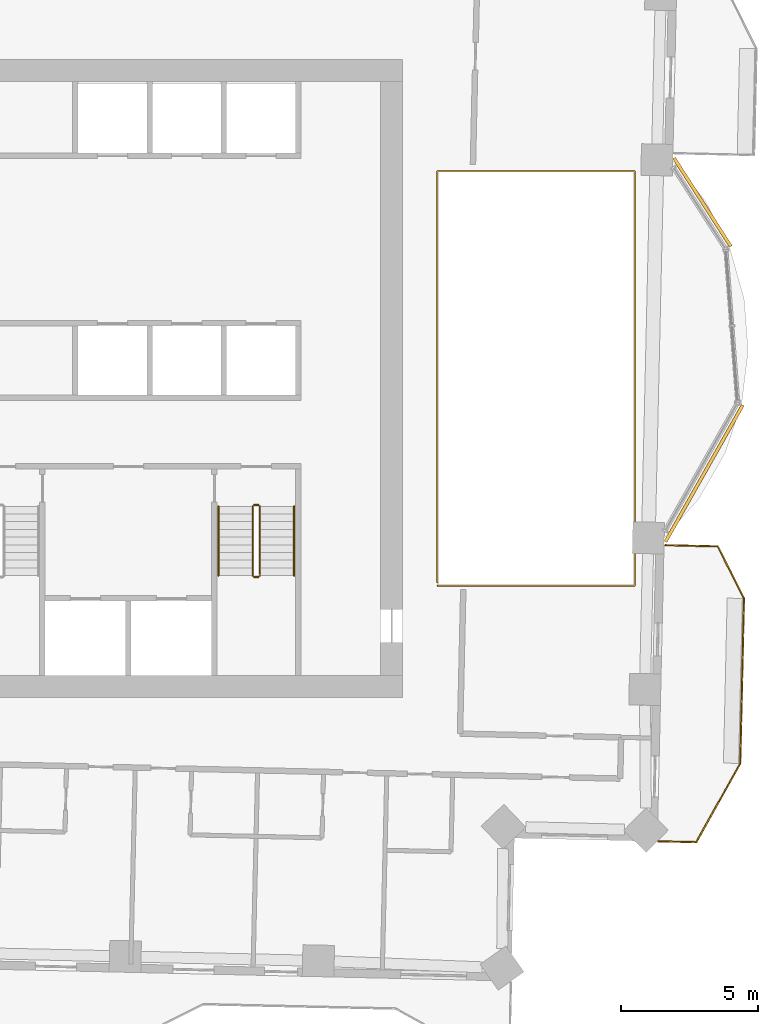
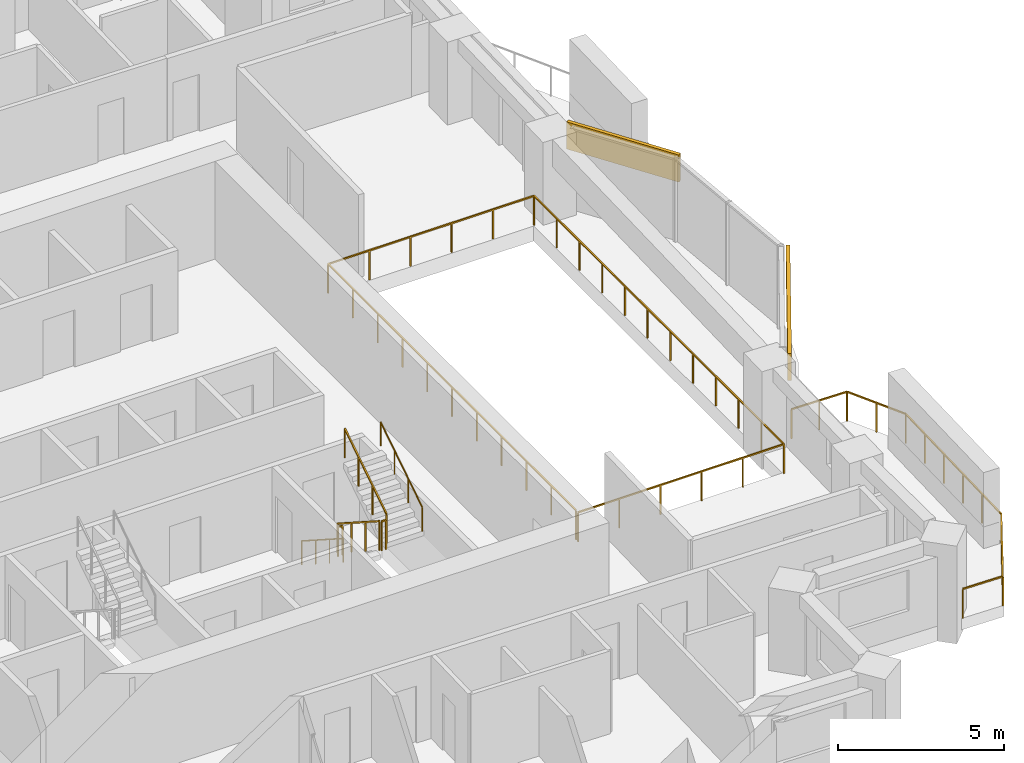
# One storey, part 13 of 14: 8 railings, 2 coverings.
"""IFC4 building model written with IfcOpenShell, lengths in metres."""

import ifcopenshell
import ifcopenshell.guid

model = None  # the IFC model being written
_history = None  # IfcOwnerHistory: only IFC2X3 demands one
_inside = {}  # id of a spatial element -> (the spatial element, [elements in it])
_under = {}  # id of a project, library or spatial element -> (it, [spatial elements below it])
_declared = {}  # id of a project -> (the project, [libraries it declares])
_typed = {}  # id of a type object -> (the type object, [elements of that type])
_made_of = {}  # id of a material, layer set ... -> (it, [elements and type objects made of it])


def new_model(schema):
    """Start an empty IFC model of exactly this schema.

    Asked for "IFC4X3", IfcOpenShell would pick the latest addendum, in which some entities
    have other attributes; the version numbers below select the first issue.
    IFC2X3 requires an IfcOwnerHistory on every rooted entity: one is made here for all.
    """
    global model, _history
    if schema == "IFC4X3":
        model = ifcopenshell.file(schema_version=(4, 3, 0, 0))
    else:
        model = ifcopenshell.file(schema=schema)
    _inside.clear()
    _under.clear()
    _declared.clear()
    _typed.clear()
    _made_of.clear()
    _history = None
    if model.schema == "IFC2X3":
        org = make("IfcOrganization", Name="unknown")
        user = make(
            "IfcPersonAndOrganization",
            ThePerson=make("IfcPerson", FamilyName="unknown"),
            TheOrganization=org,
        )
        app = make(
            "IfcApplication",
            ApplicationDeveloper=org,
            Version="unknown",
            ApplicationFullName="unknown",
            ApplicationIdentifier="unknown",
        )
        _history = make(
            "IfcOwnerHistory",
            OwningUser=user,
            OwningApplication=app,
            ChangeAction="ADDED",
            CreationDate=0,
        )
    return model


def make(cls, **values):
    """One entity of the class cls with the attributes given. An attribute that is None is left unset."""
    return model.create_entity(
        cls, **{name: value for name, value in values.items() if value is not None}
    )


def rooted(cls, **values):
    """An entity with a GlobalId (a new one), such as an element, a storey or a relation."""
    return make(cls, GlobalId=ifcopenshell.guid.new(), OwnerHistory=_history, **values)


def si_unit(unit_type, name, prefix=None):
    """IfcSIUnit, for example si_unit("LENGTHUNIT", "METRE", prefix="MILLI")."""
    return make("IfcSIUnit", UnitType=unit_type, Prefix=prefix, Name=name)


def assignment(units):
    """IfcUnitAssignment: the units of a project."""
    return None if units is None else make("IfcUnitAssignment", Units=units)


def point(xyz):
    """IfcCartesianPoint."""
    return None if xyz is None else make("IfcCartesianPoint", Coordinates=xyz)


def direction(xyz):
    """IfcDirection."""
    return None if xyz is None else make("IfcDirection", DirectionRatios=xyz)


def frame(location, z_axis=None, x_axis=None):
    """IfcAxis2Placement3D, a coordinate frame: its origin and axes. An axis left out is left unset."""
    return make(
        "IfcAxis2Placement3D",
        Location=point(location),
        Axis=direction(z_axis),
        RefDirection=direction(x_axis),
    )


def frame_2d(location, x_axis=None):
    """IfcAxis2Placement2D, a coordinate frame in the plane: its origin and x axis."""
    return make(
        "IfcAxis2Placement2D", Location=point(location), RefDirection=direction(x_axis)
    )


def origin():
    """The frame at (0, 0, 0) with its axes left unset."""
    return frame((0.0, 0.0, 0.0))


def origin_2d():
    """The frame at (0, 0) in the plane with its x axis left unset."""
    return frame_2d((0.0, 0.0))


def place(relative_to, where):
    """IfcLocalPlacement: puts the frame where relative to a parent placement (None: the world)."""
    return make(
        "IfcLocalPlacement", PlacementRelTo=relative_to, RelativePlacement=where
    )


def context(
    kind, dimensions, precision=None, world=None, true_north=None, identifier=None
):
    """IfcGeometricRepresentationContext, for example the 3D "Model" context."""
    return make(
        "IfcGeometricRepresentationContext",
        ContextIdentifier=identifier,
        ContextType=kind,
        CoordinateSpaceDimension=dimensions,
        Precision=precision,
        WorldCoordinateSystem=world,
        TrueNorth=true_north,
    )


def subcontext(parent, identifier, kind, view, scale=None):
    """IfcGeometricRepresentationSubContext, for example "Body" below "Model"."""
    return make(
        "IfcGeometricRepresentationSubContext",
        ContextIdentifier=identifier,
        ContextType=kind,
        ParentContext=parent,
        TargetScale=scale,
        TargetView=view,
    )


def project(units=None, contexts=None):
    """IfcProject with its units and contexts."""
    return rooted(
        "IfcProject",
        Name="project",
        RepresentationContexts=contexts,
        UnitsInContext=assignment(units),
    )


def spatial(cls, under=None, at=None, **own):
    """A site, building, storey or space (cls), placed at a placement, below another one or the project."""
    s = rooted(cls, ObjectPlacement=at, **own)
    if under is not None:
        _under.setdefault(under.id(), (under, []))[1].append(s)
    return s


def profile(cls, at=None, kind="AREA", **sizes):
    """A parametric profile (cls). Its sizes go by their IFC names, for example OverallWidth=200.0."""
    return make(cls, ProfileType=kind, Position=at, **sizes)


def rectangle(**sizes):
    """IfcRectangleProfileDef."""
    return profile("IfcRectangleProfileDef", **sizes)


def circle(**sizes):
    """IfcCircleProfileDef."""
    return profile("IfcCircleProfileDef", **sizes)


def extrude(swept, where, along, depth):
    """IfcExtrudedAreaSolid: the profile swept, set in the frame where, extruded along a direction by depth."""
    return make(
        "IfcExtrudedAreaSolid",
        SweptArea=swept,
        Position=where,
        ExtrudedDirection=direction(along),
        Depth=depth,
    )


def shape(context_of_items, identifier, shape_type, items):
    """IfcShapeRepresentation: the items that make up one representation, for example the "Body"."""
    return make(
        "IfcShapeRepresentation",
        ContextOfItems=context_of_items,
        RepresentationIdentifier=identifier,
        RepresentationType=shape_type,
        Items=items,
    )


def material(Name=None, Category=None):
    """IfcMaterial."""
    return make("IfcMaterial", Name=Name, Category=Category)


def layer(
    of_material, thickness, ventilated=None, Name=None, Category=None, Priority=None
):
    """IfcMaterialLayer: one layer of a wall or slab, of a material (None: an air gap)."""
    return make(
        "IfcMaterialLayer",
        Material=of_material,
        LayerThickness=thickness,
        IsVentilated=ventilated,
        Name=Name,
        Category=Category,
        Priority=Priority,
    )


def layer_set(layers, Name=None):
    """IfcMaterialLayerSet."""
    return make("IfcMaterialLayerSet", MaterialLayers=layers, LayerSetName=Name)


def made_of(thing, what):
    """Note that an element or type object is made of a material, layer set ...; save() writes the relation."""
    if what is not None:
        _made_of.setdefault(what.id(), (what, []))[1].append(thing)
    return thing


def type_object(cls, material=None, **own):
    """A type object (cls), such as IfcWallType, which elements share."""
    return made_of(rooted(cls, **own), material)


def element(
    cls,
    number,
    at=None,
    inside=None,
    cuts=None,
    type_object=None,
    material=None,
    context=None,
    identifier="Body",
    shape_type=None,
    held_by="IfcProductDefinitionShape",
    body=None,
    shapes=None,
    **own,
):
    """One element of the class cls, such as IfcWall. Its Tag is "e" and its number.

    at: its placement. inside: the storey or other place that contains it. cuts: it is an
    opening in that element (IfcRelVoidsElement). A single representation is given by context,
    identifier, shape_type and body (its items); several are given by shapes. held_by: the class
    of the entity that holds the representations. save() writes the other relations.
    """
    e = rooted(cls, Tag="e%d" % number, ObjectPlacement=at, **own)
    if body is not None:
        shapes = [shape(context, identifier, shape_type, body)]
    if shapes is not None:
        e.Representation = make(held_by, Representations=shapes)
    if inside is not None:
        _inside.setdefault(inside.id(), (inside, []))[1].append(e)
    if cuts is not None:
        rooted(
            "IfcRelVoidsElement", RelatingBuildingElement=cuts, RelatedOpeningElement=e
        )
    if type_object is not None:
        _typed.setdefault(type_object.id(), (type_object, []))[1].append(e)
    return made_of(e, material)


def aggregate(whole, parts):
    """IfcRelAggregates: a whole, such as a stair, and the parts it consists of."""
    return rooted("IfcRelAggregates", RelatingObject=whole, RelatedObjects=parts)


def save(model, path):
    """Write the relations noted so far, then the file.

    IfcRelAggregates (storeys below a building ...), IfcRelContainedInSpatialStructure (elements
    in a storey), IfcRelDefinesByType, IfcRelAssociatesMaterial and IfcRelDeclares: one each for
    every whole, place, type object, material and project.
    """
    for whole, parts in _under.values():
        aggregate(whole, parts)
    for where, things in _inside.values():
        rooted(
            "IfcRelContainedInSpatialStructure",
            RelatedElements=things,
            RelatingStructure=where,
        )
    for kind, things in _typed.values():
        rooted("IfcRelDefinesByType", RelatedObjects=things, RelatingType=kind)
    for what, things in _made_of.values():
        rooted("IfcRelAssociatesMaterial", RelatedObjects=things, RelatingMaterial=what)
    for by, libraries in _declared.values():
        rooted("IfcRelDeclares", RelatingContext=by, RelatedDefinitions=libraries)
    model.write(path)


model = new_model("IFC4")

# Units and contexts
model_context = context("Model", 3, precision=1e-05, world=origin(), true_north=direction((0.0, 1.0)))
body_context = subcontext(model_context, "Body", "Model", "MODEL_VIEW")
ifc_project = project(units=[si_unit("LENGTHUNIT", "METRE"), si_unit("AREAUNIT", "SQUARE_METRE"), si_unit("VOLUMEUNIT", "CUBIC_METRE"), si_unit("PLANEANGLEUNIT", "RADIAN"), si_unit("MASSUNIT", "GRAM", prefix="KILO")], contexts=[model_context])

# Site, building, storey
site_placement = place(None, origin())
site = spatial("IfcSite", under=ifc_project, at=site_placement, CompositionType="ELEMENT")
building_placement = place(site_placement, origin())
building = spatial("IfcBuilding", under=site, at=building_placement, Name="Mangrove Gate Tower", CompositionType="ELEMENT")
storey_placement = place(building_placement, frame((0.0, 0.0, 205.10009765625)))
storey = spatial("IfcBuildingStorey", under=building, at=storey_placement, Name="L52", CompositionType="ELEMENT", Elevation=205.10009765625)

# Railings
ifc_material_1 = material(Name="Stainless steel grade 316 with laminated glass infill", Category="steel")
railing_type_1 = type_object("IfcRailingType", Name="Balcony guard 1100", PredefinedType="GUARDRAIL", material=ifc_material_1)
railing_1_placement = place(storey_placement, frame((23.89892578125, -16.8330078125, 0.0)))
element("IfcRailing", 1, at=railing_1_placement, inside=storey, type_object=railing_type_1, Name="GUARD L52 E1", PredefinedType="GUARDRAIL", context=body_context, shape_type="SweptSolid", body=[
    extrude(rectangle(XDim=0.048095703125, YDim=0.048095703125, at=origin_2d()), frame((0.0, 0.0, 1.076171875), z_axis=(0.999746572278, -0.022512023879, 0.0), x_axis=(0.022512023879, 0.999746572278, 0.0)), (0.0, 0.0, 1.0), 1.377197265625),
    extrude(rectangle(XDim=0.048095703125, YDim=0.048095703125, at=origin_2d()), frame((1.376953125, -0.031005859375, 1.076171875), z_axis=(0.487279039946, 0.873246321051, 0.0), x_axis=(-0.873246321051, 0.487279039946, 0.0)), (0.0, 0.0, 1.0), 3.27978515625),
    extrude(rectangle(XDim=0.048095703125, YDim=0.048095703125, at=origin_2d()), frame((2.97509765625, 2.8330078125, 1.076171875), z_axis=(0.022662255828, 0.999743178102, 0.0), x_axis=(-0.999743178102, 0.022662255828, 0.0)), (0.0, 0.0, 1.0), 6.00048828125),
    extrude(rectangle(XDim=0.048095703125, YDim=0.048095703125, at=origin_2d()), frame((3.111083984375, 8.83203125, 1.076171875), z_axis=(-0.4472135955, 0.894427191, 0.0), x_axis=(-0.894427191, -0.4472135955, 0.0)), (0.0, 0.0, 1.0), 2.119873046875),
    extrude(rectangle(XDim=0.048095703125, YDim=0.048095703125, at=origin_2d()), frame((2.1630859375, 10.72802734375, 1.076171875), z_axis=(-0.999737613728, 0.02290641172, 0.0), x_axis=(-0.02290641172, -0.999737613728, 0.0)), (0.0, 0.0, 1.0), 1.91845703125),
    extrude(rectangle(XDim=0.0419921875, YDim=0.0419921875, at=origin_2d()), origin(), (0.0, 0.0, 1.0), 1.052001953125),
    extrude(rectangle(XDim=0.0419921875, YDim=0.0419921875, at=origin_2d()), frame((1.376953125, -0.031005859375, 0.0)), (0.0, 0.0, 1.0), 1.052001953125),
    extrude(rectangle(XDim=0.0419921875, YDim=0.0419921875, at=origin_2d()), frame((1.90966796875, 0.923583984375, 0.0)), (0.0, 0.0, 1.0), 1.052001953125),
    extrude(rectangle(XDim=0.0419921875, YDim=0.0419921875, at=origin_2d()), frame((2.4423828125, 1.87841796875, 0.0)), (0.0, 0.0, 1.0), 1.052001953125),
    extrude(rectangle(XDim=0.0419921875, YDim=0.0419921875, at=origin_2d()), frame((2.97509765625, 2.8330078125, 0.0)), (0.0, 0.0, 1.0), 1.052001953125),
    extrude(rectangle(XDim=0.0419921875, YDim=0.0419921875, at=origin_2d()), frame((3.002197265625, 4.03271484375, 0.0)), (0.0, 0.0, 1.0), 1.052001953125),
    extrude(rectangle(XDim=0.0419921875, YDim=0.0419921875, at=origin_2d()), frame((3.029541015625, 5.232666015625, 0.0)), (0.0, 0.0, 1.0), 1.052001953125),
    extrude(rectangle(XDim=0.0419921875, YDim=0.0419921875, at=origin_2d()), frame((3.056640625, 6.432373046875, 0.0)), (0.0, 0.0, 1.0), 1.052001953125),
    extrude(rectangle(XDim=0.0419921875, YDim=0.0419921875, at=origin_2d()), frame((3.083984375, 7.63232421875, 0.0)), (0.0, 0.0, 1.0), 1.052001953125),
    extrude(rectangle(XDim=0.0419921875, YDim=0.0419921875, at=origin_2d()), frame((3.111083984375, 8.83203125, 0.0)), (0.0, 0.0, 1.0), 1.052001953125),
    extrude(rectangle(XDim=0.0419921875, YDim=0.0419921875, at=origin_2d()), frame((2.63720703125, 9.780029296875, 0.0)), (0.0, 0.0, 1.0), 1.052001953125),
    extrude(rectangle(XDim=0.0419921875, YDim=0.0419921875, at=origin_2d()), frame((2.1630859375, 10.72802734375, 0.0)), (0.0, 0.0, 1.0), 1.052001953125),
    extrude(rectangle(XDim=0.0419921875, YDim=0.0419921875, at=origin_2d()), frame((1.2041015625, 10.75, 0.0)), (0.0, 0.0, 1.0), 1.052001953125),
    extrude(rectangle(XDim=0.0419921875, YDim=0.0419921875, at=origin_2d()), frame((0.2451171875, 10.77197265625, 0.0)), (0.0, 0.0, 1.0), 1.052001953125),
])
railing_2_placement = place(storey_placement, frame((15.860107421875, -7.5400390625, 0.0)))
element("IfcRailing", 2, at=railing_2_placement, inside=storey, type_object=railing_type_1, Name="GUARD L52 atrium", PredefinedType="GUARDRAIL", context=body_context, shape_type="SweptSolid", body=[
    extrude(rectangle(XDim=0.048095703125, YDim=0.048095703125, at=origin_2d()), frame((0.0, 0.0, 1.076171875), z_axis=(1.0, 0.0, 0.0), x_axis=(0.0, 1.0, 0.0)), (0.0, 0.0, 1.0), 7.1748046875),
    extrude(rectangle(XDim=0.048095703125, YDim=0.048095703125, at=origin_2d()), frame((7.1748046875, 0.0, 1.076171875), z_axis=(0.0, 1.0, 0.0), x_axis=(-1.0, 0.0, 0.0)), (0.0, 0.0, 1.0), 15.080078125),
    extrude(rectangle(XDim=0.048095703125, YDim=0.048095703125, at=origin_2d()), frame((7.1748046875, 15.080078125, 1.076171875), z_axis=(-1.0, 0.0, 0.0), x_axis=(0.0, -1.0, 0.0)), (0.0, 0.0, 1.0), 7.1748046875),
    extrude(rectangle(XDim=0.048095703125, YDim=0.048095703125, at=origin_2d()), frame((0.0, 15.080078125, 1.076171875), z_axis=(0.0, -1.0, 0.0), x_axis=(1.0, 0.0, 0.0)), (0.0, 0.0, 1.0), 14.9599609375),
    extrude(rectangle(XDim=0.0419921875, YDim=0.0419921875, at=origin_2d()), origin(), (0.0, 0.0, 1.0), 1.052001953125),
    extrude(rectangle(XDim=0.0419921875, YDim=0.0419921875, at=origin_2d()), frame((1.43505859375, 0.0, 0.0)), (0.0, 0.0, 1.0), 1.052001953125),
    extrude(rectangle(XDim=0.0419921875, YDim=0.0419921875, at=origin_2d()), frame((2.869873046875, 0.0, 0.0)), (0.0, 0.0, 1.0), 1.052001953125),
    extrude(rectangle(XDim=0.0419921875, YDim=0.0419921875, at=origin_2d()), frame((4.304931640625, 0.0, 0.0)), (0.0, 0.0, 1.0), 1.052001953125),
    extrude(rectangle(XDim=0.0419921875, YDim=0.0419921875, at=origin_2d()), frame((5.73974609375, 0.0, 0.0)), (0.0, 0.0, 1.0), 1.052001953125),
    extrude(rectangle(XDim=0.0419921875, YDim=0.0419921875, at=origin_2d()), frame((7.1748046875, 0.0, 0.0)), (0.0, 0.0, 1.0), 1.052001953125),
    extrude(rectangle(XDim=0.0419921875, YDim=0.0419921875, at=origin_2d()), frame((7.1748046875, 1.370849609375, 0.0)), (0.0, 0.0, 1.0), 1.052001953125),
    extrude(rectangle(XDim=0.0419921875, YDim=0.0419921875, at=origin_2d()), frame((7.1748046875, 2.741943359375, 0.0)), (0.0, 0.0, 1.0), 1.052001953125),
    extrude(rectangle(XDim=0.0419921875, YDim=0.0419921875, at=origin_2d()), frame((7.1748046875, 4.11279296875, 0.0)), (0.0, 0.0, 1.0), 1.052001953125),
    extrude(rectangle(XDim=0.0419921875, YDim=0.0419921875, at=origin_2d()), frame((7.1748046875, 5.483642578125, 0.0)), (0.0, 0.0, 1.0), 1.052001953125),
    extrude(rectangle(XDim=0.0419921875, YDim=0.0419921875, at=origin_2d()), frame((7.1748046875, 6.8544921875, 0.0)), (0.0, 0.0, 1.0), 1.052001953125),
    extrude(rectangle(XDim=0.0419921875, YDim=0.0419921875, at=origin_2d()), frame((7.1748046875, 8.2255859375, 0.0)), (0.0, 0.0, 1.0), 1.052001953125),
    extrude(rectangle(XDim=0.0419921875, YDim=0.0419921875, at=origin_2d()), frame((7.1748046875, 9.596435546875, 0.0)), (0.0, 0.0, 1.0), 1.052001953125),
    extrude(rectangle(XDim=0.0419921875, YDim=0.0419921875, at=origin_2d()), frame((7.1748046875, 10.96728515625, 0.0)), (0.0, 0.0, 1.0), 1.052001953125),
    extrude(rectangle(XDim=0.0419921875, YDim=0.0419921875, at=origin_2d()), frame((7.1748046875, 12.338134765625, 0.0)), (0.0, 0.0, 1.0), 1.052001953125),
    extrude(rectangle(XDim=0.0419921875, YDim=0.0419921875, at=origin_2d()), frame((7.1748046875, 13.709228515625, 0.0)), (0.0, 0.0, 1.0), 1.052001953125),
    extrude(rectangle(XDim=0.0419921875, YDim=0.0419921875, at=origin_2d()), frame((7.1748046875, 15.080078125, 0.0)), (0.0, 0.0, 1.0), 1.052001953125),
    extrude(rectangle(XDim=0.0419921875, YDim=0.0419921875, at=origin_2d()), frame((5.73974609375, 15.080078125, 0.0)), (0.0, 0.0, 1.0), 1.052001953125),
    extrude(rectangle(XDim=0.0419921875, YDim=0.0419921875, at=origin_2d()), frame((4.304931640625, 15.080078125, 0.0)), (0.0, 0.0, 1.0), 1.052001953125),
    extrude(rectangle(XDim=0.0419921875, YDim=0.0419921875, at=origin_2d()), frame((2.869873046875, 15.080078125, 0.0)), (0.0, 0.0, 1.0), 1.052001953125),
    extrude(rectangle(XDim=0.0419921875, YDim=0.0419921875, at=origin_2d()), frame((1.43505859375, 15.080078125, 0.0)), (0.0, 0.0, 1.0), 1.052001953125),
    extrude(rectangle(XDim=0.0419921875, YDim=0.0419921875, at=origin_2d()), frame((0.0, 15.080078125, 0.0)), (0.0, 0.0, 1.0), 1.052001953125),
    extrude(rectangle(XDim=0.0419921875, YDim=0.0419921875, at=origin_2d()), frame((0.0, 13.583984375, 0.0)), (0.0, 0.0, 1.0), 1.052001953125),
    extrude(rectangle(XDim=0.0419921875, YDim=0.0419921875, at=origin_2d()), frame((0.0, 12.088134765625, 0.0)), (0.0, 0.0, 1.0), 1.052001953125),
    extrude(rectangle(XDim=0.0419921875, YDim=0.0419921875, at=origin_2d()), frame((0.0, 10.592041015625, 0.0)), (0.0, 0.0, 1.0), 1.052001953125),
    extrude(rectangle(XDim=0.0419921875, YDim=0.0419921875, at=origin_2d()), frame((0.0, 9.09619140625, 0.0)), (0.0, 0.0, 1.0), 1.052001953125),
    extrude(rectangle(XDim=0.0419921875, YDim=0.0419921875, at=origin_2d()), frame((0.0, 7.60009765625, 0.0)), (0.0, 0.0, 1.0), 1.052001953125),
    extrude(rectangle(XDim=0.0419921875, YDim=0.0419921875, at=origin_2d()), frame((0.0, 6.10400390625, 0.0)), (0.0, 0.0, 1.0), 1.052001953125),
    extrude(rectangle(XDim=0.0419921875, YDim=0.0419921875, at=origin_2d()), frame((0.0, 4.608154296875, 0.0)), (0.0, 0.0, 1.0), 1.052001953125),
    extrude(rectangle(XDim=0.0419921875, YDim=0.0419921875, at=origin_2d()), frame((0.0, 3.112060546875, 0.0)), (0.0, 0.0, 1.0), 1.052001953125),
    extrude(rectangle(XDim=0.0419921875, YDim=0.0419921875, at=origin_2d()), frame((0.0, 1.6162109375, 0.0)), (0.0, 0.0, 1.0), 1.052001953125),
    extrude(rectangle(XDim=0.0419921875, YDim=0.0419921875, at=origin_2d()), frame((0.0, 0.1201171875, 0.0)), (0.0, 0.0, 1.0), 1.052001953125),
])
ifc_material_2 = material(Name="Stainless steel 316", Category="steel")
railing_type_2 = type_object("IfcRailingType", Name="Core stair guard 1100", PredefinedType="GUARDRAIL", material=ifc_material_2)
railing_3_placement = place(storey_placement, frame((9.14990234375, -4.64990234375, 0.179931640625)))
element("IfcRailing", 3, at=railing_3_placement, inside=storey, type_object=railing_type_2, Name="L52 ST3 stair guard 1", PredefinedType="GUARDRAIL", context=body_context, shape_type="SweptSolid", body=[
    extrude(rectangle(XDim=0.048095703125, YDim=0.048095703125, at=origin_2d()), frame((0.0, 0.0, 1.076171875), z_axis=(0.0, -0.841199657755, 0.540724639528), x_axis=(1.0, 0.0, 0.0)), (0.0, 0.0, 1.0), 2.995849609375),
    extrude(rectangle(XDim=0.0419921875, YDim=0.0419921875, at=origin_2d()), origin(), (0.0, 0.0, 1.0), 1.052001953125),
    extrude(rectangle(XDim=0.0419921875, YDim=0.0419921875, at=origin_2d()), frame((0.0, -0.840087890625, 0.5400390625)), (0.0, 0.0, 1.0), 1.052001953125),
    extrude(rectangle(XDim=0.0419921875, YDim=0.0419921875, at=origin_2d()), frame((0.0, -1.679931640625, 1.079833984375)), (0.0, 0.0, 1.0), 1.052001953125),
    extrude(rectangle(XDim=0.0419921875, YDim=0.0419921875, at=origin_2d()), frame((0.0, -2.52001953125, 1.619873046875)), (0.0, 0.0, 1.0), 1.052001953125),
])
railing_4_placement = place(storey_placement, frame((9.199951171875, -7.219970703125, 1.7998046875)))
element("IfcRailing", 4, at=railing_4_placement, inside=storey, type_object=railing_type_2, Name="L52 ST3 stair guard 2", PredefinedType="GUARDRAIL", context=body_context, shape_type="SweptSolid", body=[
    extrude(rectangle(XDim=0.048095703125, YDim=0.048095703125, at=origin_2d()), frame((0.0, 0.0, 1.076171875), z_axis=(1.0, 0.0, 0.0), x_axis=(0.0, 1.0, 0.0)), (0.0, 0.0, 1.0), 0.150146484375),
    extrude(rectangle(XDim=0.0419921875, YDim=0.0419921875, at=origin_2d()), origin(), (0.0, 0.0, 1.0), 1.052001953125),
    extrude(rectangle(XDim=0.0419921875, YDim=0.0419921875, at=origin_2d()), frame((0.150146484375, 0.0, 0.0)), (0.0, 0.0, 1.0), 1.052001953125),
])
railing_5_placement = place(storey_placement, frame((9.39990234375, -7.169921875, 1.97998046875)))
element("IfcRailing", 5, at=railing_5_placement, inside=storey, type_object=railing_type_2, Name="L52 ST3 stair guard 3", PredefinedType="GUARDRAIL", context=body_context, shape_type="SweptSolid", body=[
    extrude(rectangle(XDim=0.048095703125, YDim=0.048095703125, at=origin_2d()), frame((0.0, 0.0, 1.076171875), z_axis=(0.0, 0.841199657755, 0.540724639528), x_axis=(-1.0, 0.0, 0.0)), (0.0, 0.0, 1.0), 2.995849609375),
    extrude(rectangle(XDim=0.0419921875, YDim=0.0419921875, at=origin_2d()), origin(), (0.0, 0.0, 1.0), 1.052001953125),
    extrude(rectangle(XDim=0.0419921875, YDim=0.0419921875, at=origin_2d()), frame((0.0, 0.840087890625, 0.5400390625)), (0.0, 0.0, 1.0), 1.052001953125),
    extrude(rectangle(XDim=0.0419921875, YDim=0.0419921875, at=origin_2d()), frame((0.0, 1.679931640625, 1.079833984375)), (0.0, 0.0, 1.0), 1.052001953125),
    extrude(rectangle(XDim=0.0419921875, YDim=0.0419921875, at=origin_2d()), frame((0.0, 2.52001953125, 1.619873046875)), (0.0, 0.0, 1.0), 1.052001953125),
])
railing_6_placement = place(storey_placement, frame((9.199951171875, -4.60009765625, 0.0)))
element("IfcRailing", 6, at=railing_6_placement, inside=storey, type_object=railing_type_2, Name="L52 ST3 stair guard 4", PredefinedType="GUARDRAIL", context=body_context, shape_type="SweptSolid", body=[
    extrude(rectangle(XDim=0.048095703125, YDim=0.048095703125, at=origin_2d()), frame((0.0, 0.0, 1.076171875), z_axis=(1.0, 0.0, 0.0), x_axis=(0.0, 1.0, 0.0)), (0.0, 0.0, 1.0), 0.150146484375),
    extrude(rectangle(XDim=0.0419921875, YDim=0.0419921875, at=origin_2d()), origin(), (0.0, 0.0, 1.0), 1.052001953125),
    extrude(rectangle(XDim=0.0419921875, YDim=0.0419921875, at=origin_2d()), frame((0.150146484375, 0.0, 0.0)), (0.0, 0.0, 1.0), 1.052001953125),
])
ifc_material_3 = material(Name="Stainless steel 316", Category="steel")
railing_type_3 = type_object("IfcRailingType", Name="Core stair handrail 900", PredefinedType="HANDRAIL", material=ifc_material_3)
railing_7_placement = place(storey_placement, frame((7.89990234375, -4.64990234375, 0.179931640625)))
element("IfcRailing", 7, at=railing_7_placement, inside=storey, type_object=railing_type_3, Name="L52 ST3 stair handrail 1", PredefinedType="HANDRAIL", context=body_context, shape_type="SweptSolid", body=[
    extrude(circle(Radius=0.02392578125, at=origin_2d()), frame((0.0, 0.0, 0.8759765625), z_axis=(0.0, -0.841199657755, 0.540724639528), x_axis=(1.0, 0.0, 0.0)), (0.0, 0.0, 1.0), 2.995849609375),
    extrude(circle(Radius=0.02099609375, at=origin_2d()), origin(), (0.0, 0.0, 1.0), 0.851806640625),
    extrude(circle(Radius=0.02099609375, at=origin_2d()), frame((0.0, -0.840087890625, 0.5400390625)), (0.0, 0.0, 1.0), 0.851806640625),
    extrude(circle(Radius=0.02099609375, at=origin_2d()), frame((0.0, -1.679931640625, 1.079833984375)), (0.0, 0.0, 1.0), 0.851806640625),
    extrude(circle(Radius=0.02099609375, at=origin_2d()), frame((0.0, -2.52001953125, 1.619873046875)), (0.0, 0.0, 1.0), 0.851806640625),
])
railing_8_placement = place(storey_placement, frame((10.64990234375, -7.169921875, 1.97998046875)))
element("IfcRailing", 8, at=railing_8_placement, inside=storey, type_object=railing_type_3, Name="L52 ST3 stair handrail 2", PredefinedType="HANDRAIL", context=body_context, shape_type="SweptSolid", body=[
    extrude(circle(Radius=0.02392578125, at=origin_2d()), frame((0.0, 0.0, 0.8759765625), z_axis=(0.0, 0.841199657755, 0.540724639528), x_axis=(-1.0, 0.0, 0.0)), (0.0, 0.0, 1.0), 2.995849609375),
    extrude(circle(Radius=0.02099609375, at=origin_2d()), origin(), (0.0, 0.0, 1.0), 0.851806640625),
    extrude(circle(Radius=0.02099609375, at=origin_2d()), frame((0.0, 0.840087890625, 0.5400390625)), (0.0, 0.0, 1.0), 0.851806640625),
    extrude(circle(Radius=0.02099609375, at=origin_2d()), frame((0.0, 1.679931640625, 1.079833984375)), (0.0, 0.0, 1.0), 0.851806640625),
    extrude(circle(Radius=0.02099609375, at=origin_2d()), frame((0.0, 2.52001953125, 1.619873046875)), (0.0, 0.0, 1.0), 0.851806640625),
])

# Coverings
ifc_material_4 = material(Name="Limestone", Category="masonry")
ifc_layer_1 = layer(ifc_material_4, 0.0400390625, Name="Limestone cladding")
ifc_material_5 = material(Name="Stainless steel anchors and cavity", Category="steel")
ifc_layer_2 = layer(ifc_material_5, 0.080078125, Name="Fixing cavity")
ifc_layer_set = layer_set([ifc_layer_1, ifc_layer_2], Name="Joint fascia cladding 120")
covering_type = type_object("IfcCoveringType", Name="Joint fascia cladding 120", PredefinedType="CLADDING", material=ifc_layer_set)
covering_1_placement = place(storey_placement, frame((24.156982421875, -5.9365234375, 2.0498046875), z_axis=(0.0, 0.0, 1.0), x_axis=(0.492512614445, 0.870305305403, 0.0)))
element("IfcCovering", 9, at=covering_1_placement, inside=storey, type_object=covering_type, Name="STONE FASCIA L52 E1.L1", PredefinedType="CLADDING", context=body_context, shape_type="SweptSolid", body=[
    extrude(rectangle(XDim=5.70556640625, YDim=0.1201171875, at=frame_2d((2.852783203125, 0.0))), origin(), (0.0, 0.0, 1.0), 1.0),
])
covering_2_placement = place(storey_placement, frame((26.531005859375, 4.802001953125, 2.0498046875), z_axis=(0.0, 0.0, 1.0), x_axis=(-0.540340805768, 0.841446263063, 0.0)))
element("IfcCovering", 10, at=covering_2_placement, inside=storey, type_object=covering_type, Name="STONE FASCIA L52 E1.L2", PredefinedType="CLADDING", context=body_context, shape_type="SweptSolid", body=[
    extrude(rectangle(XDim=3.81982421875, YDim=0.1201171875, at=frame_2d((1.909912109375, 0.0))), origin(), (0.0, 0.0, 1.0), 1.0),
])

save(model, "model.ifc")
